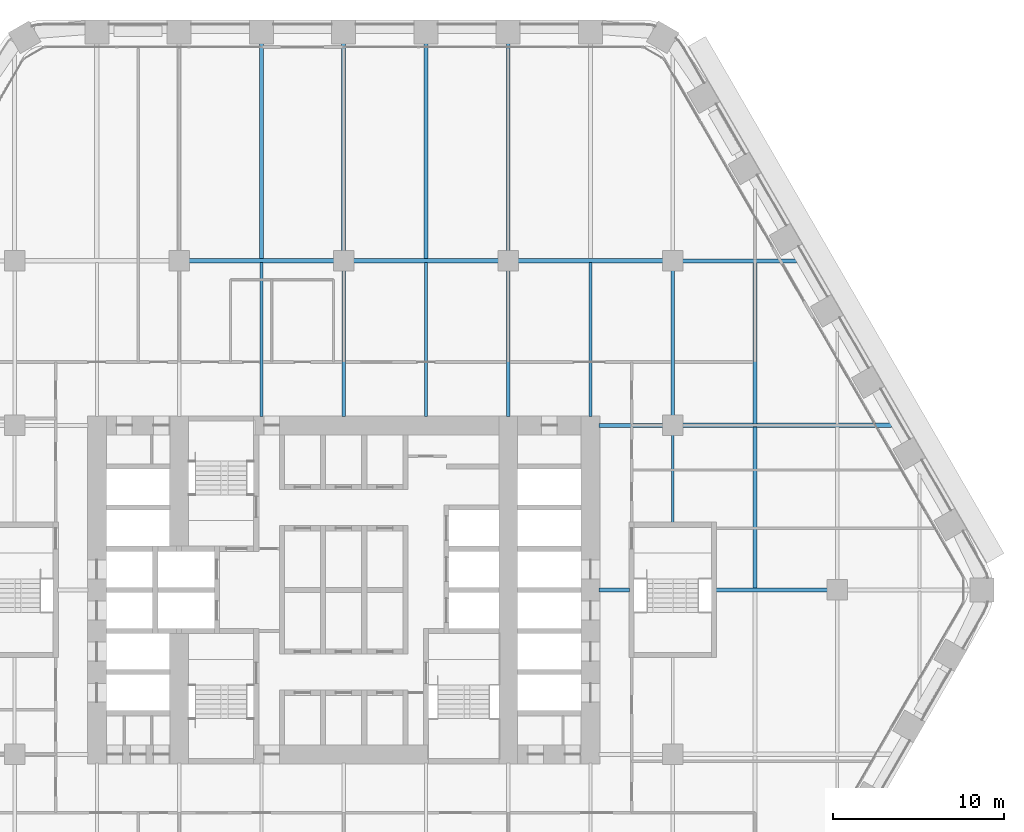
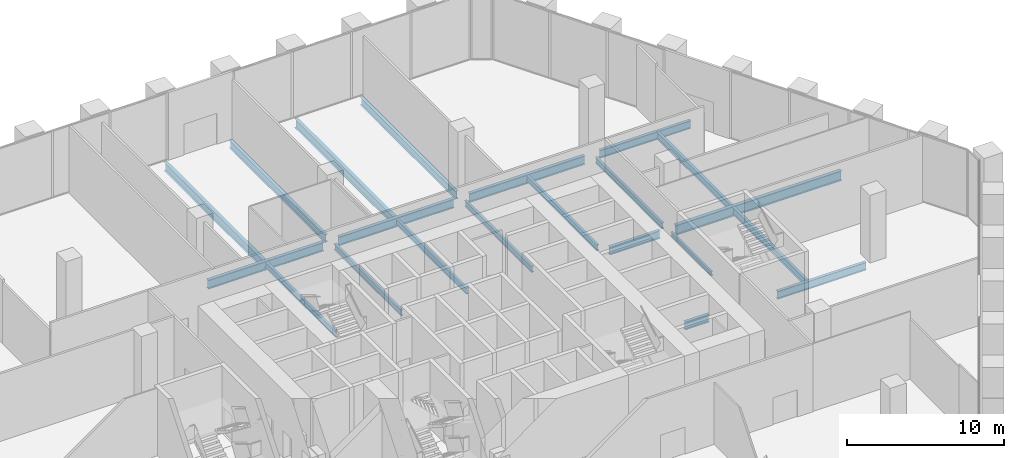
# One storey, part 9 of 27: 21 beams.
"""IFC4 building model written with IfcOpenShell, lengths in metres."""

from ifc_helpers import new_model, si_unit, direction, frame, origin, origin_2d, place, context, subcontext, project, spatial, i_section, extrude, material, material_profile, profile_set, type_object, element, save


model = new_model("IFC4")

# Units and contexts
model_context = context("Model", 3, precision=1e-05, world=origin(), true_north=direction((0.0, 1.0)))
body_context = subcontext(model_context, "Body", "Model", "MODEL_VIEW")
ifc_project = project(units=[si_unit("LENGTHUNIT", "METRE"), si_unit("AREAUNIT", "SQUARE_METRE"), si_unit("VOLUMEUNIT", "CUBIC_METRE"), si_unit("PLANEANGLEUNIT", "RADIAN"), si_unit("MASSUNIT", "GRAM", prefix="KILO")], contexts=[model_context])

# Site, building, storey
site_placement = place(None, origin())
site = spatial("IfcSite", under=ifc_project, at=site_placement, CompositionType="ELEMENT")
building_placement = place(site_placement, origin())
building = spatial("IfcBuilding", under=site, at=building_placement, Name="Kolab Exchange Tower", CompositionType="ELEMENT")
storey_placement = place(building_placement, frame((0.0, 0.0, 44.39990234375)))
storey = spatial("IfcBuildingStorey", under=building, at=storey_placement, Name="L08", CompositionType="ELEMENT", Elevation=44.39990234375)

# Beams
ifc_material = material(Name="Steel S355", Category="steel")
ifc_material_profile_1 = material_profile(ifc_material, i_section(OverallWidth=0.1650390625, OverallDepth=0.31005859375, WebThickness=0.005859375, FlangeThickness=0.009765625, at=origin_2d()), Name="W310X39")
ifc_profile_set_1 = profile_set([ifc_material_profile_1], Name="Steel S355")
beam_type_1 = type_object("IfcBeamType", Name="FLOOR BEAM W310X39", PredefinedType="BEAM", material=ifc_profile_set_1)
beam_1_placement = place(storey_placement, frame((19.199951171875, 3.909912109375, -0.40478515625), z_axis=(0.0, 1.0, 0.0), x_axis=(-1.0, 0.0, 0.0)))
element("IfcBeam", 1, at=beam_1_placement, inside=storey, type_object=beam_type_1, Name="beam/L08/fr/049", PredefinedType="BEAM", context=body_context, shape_type="SweptSolid", body=[
    extrude(i_section(OverallWidth=0.1650390625, OverallDepth=0.31005859375, WebThickness=0.005859375, FlangeThickness=0.009765625, at=origin_2d()), origin(), (0.0, 0.0, 1.0), 5.130126953125),
])
ifc_material_profile_2 = material_profile(ifc_material, i_section(OverallWidth=0.18994140625, OverallDepth=0.45703125, WebThickness=0.009033203125, FlangeThickness=0.014404296875, at=origin_2d()), Name="W460X74")
ifc_profile_set_2 = profile_set([ifc_material_profile_2], Name="Steel S355")
beam_type_2 = type_object("IfcBeamType", Name="FLOOR BEAM W460X74", PredefinedType="BEAM", material=ifc_profile_set_2)
beam_2_placement = place(storey_placement, frame((-4.800048828125, 10.110107421875, -0.478515625), z_axis=(0.0, 1.0, 0.0), x_axis=(-1.0, 0.0, 0.0)))
element("IfcBeam", 2, at=beam_2_placement, inside=storey, type_object=beam_type_2, Name="beam/L08/fr/028", PredefinedType="BEAM", context=body_context, shape_type="SweptSolid", body=[
    extrude(i_section(OverallWidth=0.18994140625, OverallDepth=0.45703125, WebThickness=0.009033203125, FlangeThickness=0.014404296875, at=origin_2d()), origin(), (0.0, 0.0, 1.0), 9.0029296875),
])
beam_3_placement = place(storey_placement, frame((0.0, 10.110107421875, -0.478515625), z_axis=(0.0, 1.0, 0.0), x_axis=(-1.0, 0.0, 0.0)))
element("IfcBeam", 3, at=beam_3_placement, inside=storey, type_object=beam_type_2, Name="beam/L08/fr/032", PredefinedType="BEAM", context=body_context, shape_type="SweptSolid", body=[
    extrude(i_section(OverallWidth=0.18994140625, OverallDepth=0.45703125, WebThickness=0.009033203125, FlangeThickness=0.014404296875, at=origin_2d()), origin(), (0.0, 0.0, 1.0), 8.52978515625),
])
beam_4_placement = place(storey_placement, frame((4.800048828125, 10.110107421875, -0.478515625), z_axis=(0.0, 1.0, 0.0), x_axis=(-1.0, 0.0, 0.0)))
element("IfcBeam", 4, at=beam_4_placement, inside=storey, type_object=beam_type_2, Name="beam/L08/fr/036", PredefinedType="BEAM", context=body_context, shape_type="SweptSolid", body=[
    extrude(i_section(OverallWidth=0.18994140625, OverallDepth=0.45703125, WebThickness=0.009033203125, FlangeThickness=0.014404296875, at=origin_2d()), origin(), (0.0, 0.0, 1.0), 9.0029296875),
])
beam_5_placement = place(storey_placement, frame((9.60009765625, 10.110107421875, -0.478515625), z_axis=(0.0, 1.0, 0.0), x_axis=(-1.0, 0.0, 0.0)))
element("IfcBeam", 5, at=beam_5_placement, inside=storey, type_object=beam_type_2, Name="beam/L08/fr/040", PredefinedType="BEAM", context=body_context, shape_type="SweptSolid", body=[
    extrude(i_section(OverallWidth=0.18994140625, OverallDepth=0.45703125, WebThickness=0.009033203125, FlangeThickness=0.014404296875, at=origin_2d()), origin(), (0.0, 0.0, 1.0), 8.52978515625),
])
beam_6_placement = place(storey_placement, frame((14.39990234375, 10.110107421875, -0.478515625), z_axis=(0.0, 1.0, 0.0), x_axis=(-1.0, 0.0, 0.0)))
element("IfcBeam", 6, at=beam_6_placement, inside=storey, type_object=beam_type_2, Name="beam/L08/fr/044", PredefinedType="BEAM", context=body_context, shape_type="SweptSolid", body=[
    extrude(i_section(OverallWidth=0.18994140625, OverallDepth=0.45703125, WebThickness=0.009033203125, FlangeThickness=0.014404296875, at=origin_2d()), origin(), (0.0, 0.0, 1.0), 9.0029296875),
])
beam_7_placement = place(storey_placement, frame((19.199951171875, 10.159912109375, -0.478515625), z_axis=(0.0, 1.0, 0.0), x_axis=(-1.0, 0.0, 0.0)))
element("IfcBeam", 7, at=beam_7_placement, inside=storey, type_object=beam_type_2, Name="beam/L08/fr/050", PredefinedType="BEAM", context=body_context, shape_type="SweptSolid", body=[
    extrude(i_section(OverallWidth=0.18994140625, OverallDepth=0.45703125, WebThickness=0.009033203125, FlangeThickness=0.014404296875, at=origin_2d()), origin(), (0.0, 0.0, 1.0), 8.47998046875),
])
ifc_material_profile_3 = material_profile(ifc_material, i_section(OverallWidth=0.208984375, OverallDepth=0.532958984375, WebThickness=0.01025390625, FlangeThickness=0.015625, at=origin_2d()), Name="W530X92")
ifc_profile_set_3 = profile_set([ifc_material_profile_3], Name="Steel S355")
beam_type_3 = type_object("IfcBeamType", Name="FLOOR BEAM W530X92", PredefinedType="BEAM", material=ifc_profile_set_3)
beam_8_placement = place(storey_placement, frame((24.0, 0.073974609375, -0.516357421875), z_axis=(0.0, 1.0, 0.0), x_axis=(-1.0, 0.0, 0.0)))
element("IfcBeam", 8, at=beam_8_placement, inside=storey, type_object=beam_type_3, Name="beam/L08/fr/055", PredefinedType="BEAM", context=body_context, shape_type="SweptSolid", body=[
    extrude(i_section(OverallWidth=0.208984375, OverallDepth=0.532958984375, WebThickness=0.01025390625, FlangeThickness=0.015625, at=origin_2d()), origin(), (0.0, 0.0, 1.0), 9.4326171875),
])
beam_9_placement = place(storey_placement, frame((24.0, 9.693603515625, -0.516357421875), z_axis=(0.0, 1.0, 0.0), x_axis=(-1.0, 0.0, 0.0)))
element("IfcBeam", 9, at=beam_9_placement, inside=storey, type_object=beam_type_3, Name="beam/L08/fr/056", PredefinedType="BEAM", context=body_context, shape_type="SweptSolid", body=[
    extrude(i_section(OverallWidth=0.208984375, OverallDepth=0.532958984375, WebThickness=0.01025390625, FlangeThickness=0.015625, at=origin_2d()), origin(), (0.0, 0.0, 1.0), 9.432373046875),
])
ifc_material_profile_4 = material_profile(ifc_material, i_section(OverallWidth=0.22802734375, OverallDepth=0.60791015625, WebThickness=0.01123046875, FlangeThickness=0.017333984375, at=origin_2d()), Name="W610X113")
ifc_profile_set_4 = profile_set([ifc_material_profile_4], Name="Steel S355")
beam_type_4 = type_object("IfcBeamType", Name="FLOOR BEAM W610X113", PredefinedType="BEAM", material=ifc_profile_set_4)
for number, where, z_axis, x_axis, name in (
    (10, (0.0, 19.760009765625, -0.553955078125), (0.0, 1.0, 0.0), (-1.0, 0.0, 0.0), "beam/L08/fr/033"),
    (11, (9.60009765625, 19.760009765625, -0.553955078125), (0.0, 1.0, 0.0), (-1.0, 0.0, 0.0), "beam/L08/fr/041"),
):
    element("IfcBeam", number, at=place(storey_placement, frame(where, z_axis=z_axis, x_axis=x_axis)), inside=storey, type_object=beam_type_4, Name=name, PredefinedType="BEAM", context=body_context, shape_type="SweptSolid", body=[
        extrude(i_section(OverallWidth=0.22802734375, OverallDepth=0.60791015625, WebThickness=0.01123046875, FlangeThickness=0.017333984375, at=origin_2d()), origin(), (0.0, 0.0, 1.0), 12.135498046875),
    ])
ifc_material_profile_5 = material_profile(ifc_material, i_section(OverallWidth=0.25390625, OverallDepth=0.68408203125, WebThickness=0.012451171875, FlangeThickness=0.018798828125, at=origin_2d()), Name="W690X140")
ifc_profile_set_5 = profile_set([ifc_material_profile_5], Name="Steel S355")
beam_type_5 = type_object("IfcBeamType", Name="FLOOR BEAM W690X140", PredefinedType="BEAM", material=ifc_profile_set_5)
for number, where, z_axis, x_axis, name in (
    (12, (-4.800048828125, 19.287109375, -0.591796875), (0.0, 1.0, 0.0), (-1.0, 0.0, 0.0), "beam/L08/fr/029"),
    (13, (4.800048828125, 19.287109375, -0.591796875), (0.0, 1.0, 0.0), (-1.0, 0.0, 0.0), "beam/L08/fr/037"),
):
    element("IfcBeam", number, at=place(storey_placement, frame(where, z_axis=z_axis, x_axis=x_axis)), inside=storey, type_object=beam_type_5, Name=name, PredefinedType="BEAM", context=body_context, shape_type="SweptSolid", body=[
        extrude(i_section(OverallWidth=0.25390625, OverallDepth=0.68408203125, WebThickness=0.012451171875, FlangeThickness=0.018798828125, at=origin_2d()), origin(), (0.0, 0.0, 1.0), 12.6083984375),
    ])
ifc_material_profile_6 = material_profile(ifc_material, i_section(OverallWidth=0.22802734375, OverallDepth=0.60791015625, WebThickness=0.01123046875, FlangeThickness=0.017333984375, at=origin_2d()), Name="W610X113")
ifc_profile_set_6 = profile_set([ifc_material_profile_6], Name="Steel S355")
beam_type_6 = type_object("IfcBeamType", Name="FLOOR GIRDER W610X113", PredefinedType="BEAM", material=ifc_profile_set_6)
beam_10_placement = place(storey_placement, frame((14.909912109375, 0.0, -0.553955078125), z_axis=(1.0, 0.0, 0.0), x_axis=(0.0, 1.0, 0.0)))
element("IfcBeam", 14, at=beam_10_placement, inside=storey, type_object=beam_type_6, Name="beam/L08/gd/018", PredefinedType="BEAM", context=body_context, shape_type="SweptSolid", body=[
    extrude(i_section(OverallWidth=0.22802734375, OverallDepth=0.60791015625, WebThickness=0.01123046875, FlangeThickness=0.017333984375, at=origin_2d()), origin(), (0.0, 0.0, 1.0), 1.780029296875),
])
beam_11_placement = place(storey_placement, frame((14.909912109375, 9.60009765625, -0.553955078125), z_axis=(1.0, 0.0, 0.0), x_axis=(0.0, 1.0, 0.0)))
element("IfcBeam", 15, at=beam_11_placement, inside=storey, type_object=beam_type_6, Name="beam/L08/gd/019", PredefinedType="BEAM", context=body_context, shape_type="SweptSolid", body=[
    extrude(i_section(OverallWidth=0.22802734375, OverallDepth=0.60791015625, WebThickness=0.01123046875, FlangeThickness=0.017333984375, at=origin_2d()), origin(), (0.0, 0.0, 1.0), 3.72998046875),
])
beam_12_placement = place(storey_placement, frame((19.760009765625, 19.199951171875, -0.553955078125), z_axis=(1.0, 0.0, 0.0), x_axis=(0.0, 1.0, 0.0)))
element("IfcBeam", 16, at=beam_12_placement, inside=storey, type_object=beam_type_6, Name="beam/L08/gd/023", PredefinedType="BEAM", context=body_context, shape_type="SweptSolid", body=[
    extrude(i_section(OverallWidth=0.22802734375, OverallDepth=0.60791015625, WebThickness=0.01123046875, FlangeThickness=0.017333984375, at=origin_2d()), origin(), (0.0, 0.0, 1.0), 6.671142578125),
])
beam_13_placement = place(storey_placement, frame((21.7099609375, 0.0, -0.553955078125), z_axis=(1.0, 0.0, 0.0), x_axis=(0.0, 1.0, 0.0)))
element("IfcBeam", 17, at=beam_13_placement, inside=storey, type_object=beam_type_6, Name="beam/L08/gd/024", PredefinedType="BEAM", context=body_context, shape_type="SweptSolid", body=[
    extrude(i_section(OverallWidth=0.22802734375, OverallDepth=0.60791015625, WebThickness=0.01123046875, FlangeThickness=0.017333984375, at=origin_2d()), origin(), (0.0, 0.0, 1.0), 6.530029296875),
])
ifc_material_profile_7 = material_profile(ifc_material, i_section(OverallWidth=0.25390625, OverallDepth=0.68408203125, WebThickness=0.012451171875, FlangeThickness=0.018798828125, at=origin_2d()), Name="W690X140")
ifc_profile_set_7 = profile_set([ifc_material_profile_7], Name="Steel S355")
beam_type_7 = type_object("IfcBeamType", Name="FLOOR GIRDER W690X140", PredefinedType="BEAM", material=ifc_profile_set_7)
for number, where, z_axis, x_axis, name in (
    (18, (-9.0400390625, 19.199951171875, -0.591796875), (1.0, 0.0, 0.0), (0.0, 1.0, 0.0), "beam/L08/gd/012"),
    (19, (0.56005859375, 19.199951171875, -0.591796875), (1.0, 0.0, 0.0), (0.0, 1.0, 0.0), "beam/L08/gd/014"),
    (20, (10.159912109375, 19.199951171875, -0.591796875), (1.0, 0.0, 0.0), (0.0, 1.0, 0.0), "beam/L08/gd/016"),
):
    element("IfcBeam", number, at=place(storey_placement, frame(where, z_axis=z_axis, x_axis=x_axis)), inside=storey, type_object=beam_type_7, Name=name, PredefinedType="BEAM", context=body_context, shape_type="SweptSolid", body=[
        extrude(i_section(OverallWidth=0.25390625, OverallDepth=0.68408203125, WebThickness=0.012451171875, FlangeThickness=0.018798828125, at=origin_2d()), origin(), (0.0, 0.0, 1.0), 8.47998046875),
    ])
ifc_material_profile_8 = material_profile(ifc_material, i_section(OverallWidth=0.26708984375, OverallDepth=0.761962890625, WebThickness=0.014404296875, FlangeThickness=0.021484375, at=origin_2d()), Name="W760X173")
ifc_profile_set_8 = profile_set([ifc_material_profile_8], Name="Steel S355")
beam_type_8 = type_object("IfcBeamType", Name="FLOOR GIRDER W760X173", PredefinedType="BEAM", material=ifc_profile_set_8)
beam_14_placement = place(storey_placement, frame((19.760009765625, 9.60009765625, -0.630859375), z_axis=(1.0, 0.0, 0.0), x_axis=(0.0, 1.0, 0.0)))
element("IfcBeam", 21, at=beam_14_placement, inside=storey, type_object=beam_type_8, Name="beam/L08/gd/022", PredefinedType="BEAM", context=body_context, shape_type="SweptSolid", body=[
    extrude(i_section(OverallWidth=0.26708984375, OverallDepth=0.761962890625, WebThickness=0.014404296875, FlangeThickness=0.021484375, at=origin_2d()), origin(), (0.0, 0.0, 1.0), 12.213623046875),
])

save(model, "model.ifc")
